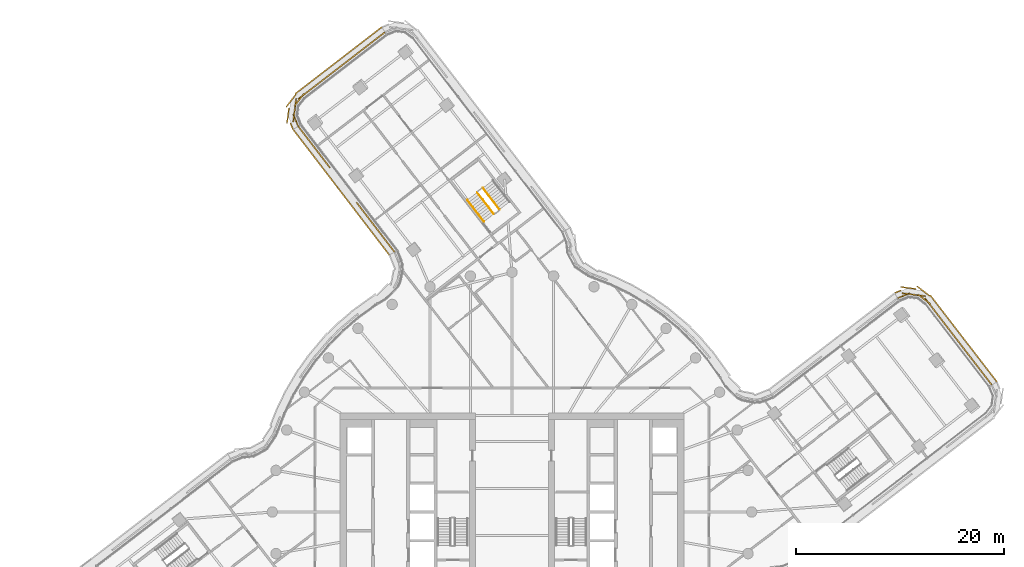
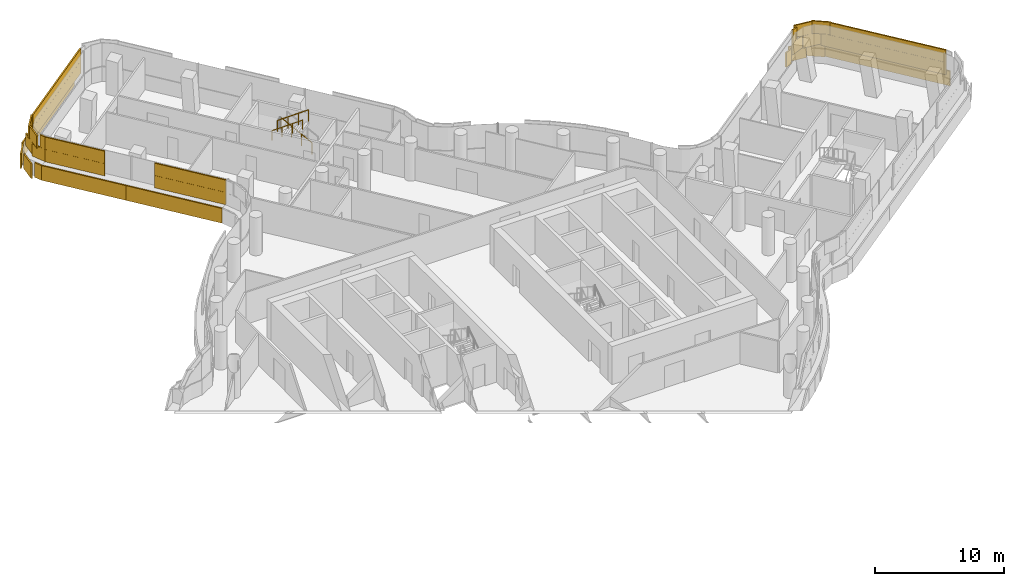
# One storey, part 32 of 33: 4 coverings, 3 railings.
"""IFC4 building model written with IfcOpenShell, lengths in metres."""

from ifc_helpers import new_model, si_unit, direction, frame, origin, origin_2d, place, context, subcontext, project, spatial, rectangle, circle, extrude, material, layer, layer_set, type_object, element, save


model = new_model("IFC4")

# Units and contexts
model_context = context("Model", 3, precision=1e-05, world=origin(), true_north=direction((0.0, 1.0)))
body_context = subcontext(model_context, "Body", "Model", "MODEL_VIEW")
ifc_project = project(units=[si_unit("LENGTHUNIT", "METRE"), si_unit("AREAUNIT", "SQUARE_METRE"), si_unit("VOLUMEUNIT", "CUBIC_METRE"), si_unit("PLANEANGLEUNIT", "RADIAN"), si_unit("MASSUNIT", "GRAM", prefix="KILO")], contexts=[model_context])

# Site, building, storey
site_placement = place(None, origin())
site = spatial("IfcSite", under=ifc_project, at=site_placement, CompositionType="ELEMENT")
building_placement = place(site_placement, origin())
building = spatial("IfcBuilding", under=site, at=building_placement, Name="Tamarind Cross Interchange Tower", CompositionType="ELEMENT")
storey_placement = place(building_placement, frame((0.0, 0.0, 170.5)))
storey = spatial("IfcBuildingStorey", under=building, at=storey_placement, Name="L42", CompositionType="ELEMENT", Elevation=170.5)

# Railings
ifc_material_1 = material(Name="Stair guard")
railing_type_1 = type_object("IfcRailingType", Name="Stair guard", PredefinedType="GUARDRAIL", material=ifc_material_1)
railing_1_placement = place(storey_placement, frame((-1.19140625, 29.03515625, 0.17041015625)))
element("IfcRailing", 1, at=railing_1_placement, inside=storey, type_object=railing_type_1, Name="L42 ST4 stair guard 1", PredefinedType="GUARDRAIL", context=body_context, shape_type="SweptSolid", body=[
    extrude(circle(Radius=0.02392578125, at=origin_2d()), frame((0.0, 0.0, 1.076171875), z_axis=(-0.510371197798, 0.662485216898, 0.548301539164), x_axis=(-0.792180437455, -0.610286944407, 0.0)), (0.0, 0.0, 1.0), 3.10888671875),
    extrude(circle(Radius=0.02099609375, at=origin_2d()), origin(), (0.0, 0.0, 1.0), 1.052001953125),
    extrude(circle(Radius=0.02099609375, at=origin_2d()), frame((-0.52880859375, 0.6865234375, 0.568115234375)), (0.0, 0.0, 1.0), 1.052001953125),
    extrude(circle(Radius=0.02099609375, at=origin_2d()), frame((-1.057861328125, 1.373046875, 1.136474609375)), (0.0, 0.0, 1.0), 1.052001953125),
    extrude(circle(Radius=0.02099609375, at=origin_2d()), frame((-1.586669921875, 2.0595703125, 1.70458984375)), (0.0, 0.0, 1.0), 1.052001953125),
])
railing_2_placement = place(storey_placement, frame((-3.332763671875, 30.66748046875, 2.04541015625)))
element("IfcRailing", 2, at=railing_2_placement, inside=storey, type_object=railing_type_1, Name="L42 ST4 stair guard 3", PredefinedType="GUARDRAIL", context=body_context, shape_type="SweptSolid", body=[
    extrude(circle(Radius=0.02392578125, at=origin_2d()), frame((0.0, 0.0, 1.076171875), z_axis=(0.510429269447, -0.662458664163, 0.548279562967), x_axis=(0.792135038923, 0.61034586925, 0.0)), (0.0, 0.0, 1.0), 3.10888671875),
    extrude(circle(Radius=0.02099609375, at=origin_2d()), origin(), (0.0, 0.0, 1.0), 1.052001953125),
    extrude(circle(Radius=0.02099609375, at=origin_2d()), frame((0.529052734375, -0.6865234375, 0.568115234375)), (0.0, 0.0, 1.0), 1.052001953125),
    extrude(circle(Radius=0.02099609375, at=origin_2d()), frame((1.057861328125, -1.373046875, 1.136474609375)), (0.0, 0.0, 1.0), 1.052001953125),
    extrude(circle(Radius=0.02099609375, at=origin_2d()), frame((1.5869140625, -2.0595703125, 1.70458984375)), (0.0, 0.0, 1.0), 1.052001953125),
])
ifc_material_2 = material(Name="Stair handrail")
railing_type_2 = type_object("IfcRailingType", Name="Stair handrail", PredefinedType="HANDRAIL", material=ifc_material_2)
railing_3_placement = place(storey_placement, frame((-4.283203125, 29.93505859375, 2.04541015625)))
element("IfcRailing", 3, at=railing_3_placement, inside=storey, type_object=railing_type_2, Name="L42 ST4 stair handrail 2", PredefinedType="HANDRAIL", context=body_context, shape_type="SweptSolid", body=[
    extrude(circle(Radius=0.02392578125, at=origin_2d()), frame((0.0, 0.0, 0.8759765625), z_axis=(0.510429269447, -0.662458664163, 0.548279562967), x_axis=(0.792135038923, 0.61034586925, 0.0)), (0.0, 0.0, 1.0), 3.10888671875),
    extrude(circle(Radius=0.02099609375, at=origin_2d()), origin(), (0.0, 0.0, 1.0), 0.851806640625),
    extrude(circle(Radius=0.02099609375, at=origin_2d()), frame((0.529052734375, -0.6865234375, 0.568115234375)), (0.0, 0.0, 1.0), 0.851806640625),
    extrude(circle(Radius=0.02099609375, at=origin_2d()), frame((1.057861328125, -1.373046875, 1.136474609375)), (0.0, 0.0, 1.0), 0.851806640625),
    extrude(circle(Radius=0.02099609375, at=origin_2d()), frame((1.5869140625, -2.0595703125, 1.70458984375)), (0.0, 0.0, 1.0), 0.851806640625),
])

# Coverings
ifc_material_3 = material(Name="Terracotta", Category="masonry")
ifc_layer = layer(ifc_material_3, 0.1201171875)
ifc_layer_set = layer_set([ifc_layer], Name="Terracotta")
covering_type = type_object("IfcCoveringType", Name="Terracotta baguette screen unit", PredefinedType="MOLDING", material=ifc_layer_set)
covering_1_placement = place(storey_placement, origin())
element("IfcCovering", 4, at=covering_1_placement, inside=storey, type_object=covering_type, Name="SCR-L42-00-00", PredefinedType="MOLDING", context=body_context, shape_type="SweptSolid", body=[
    extrude(rectangle(XDim=1.510009765625, YDim=0.1201171875, at=origin_2d()), frame((45.58251953125, 12.789306640625, 1.404052734375), z_axis=(0.0, 0.0, 1.0), x_axis=(-0.610322147879, 0.792153315847, 0.0)), (0.0, 0.0, 1.0), 1.1669921875),
    extrude(rectangle(XDim=1.52001953125, YDim=0.1201171875, at=origin_2d()), frame((44.6669921875, 13.9775390625, 1.404052734375), z_axis=(0.0, 0.0, 1.0), x_axis=(-0.610322147879, 0.792153315847, 0.0)), (0.0, 0.0, 1.0), 1.1669921875),
    extrude(rectangle(XDim=1.52001953125, YDim=0.1201171875, at=origin_2d()), frame((43.751708984375, 15.165771484375, 1.404052734375), z_axis=(0.0, 0.0, 1.0), x_axis=(-0.610322147879, 0.792153315847, 0.0)), (0.0, 0.0, 1.0), 1.1669921875),
    extrude(rectangle(XDim=1.52001953125, YDim=0.1201171875, at=origin_2d()), frame((42.836181640625, 16.35400390625, 1.404052734375), z_axis=(0.0, 0.0, 1.0), x_axis=(-0.610322147879, 0.792153315847, 0.0)), (0.0, 0.0, 1.0), 1.1669921875),
    extrude(rectangle(XDim=1.52001953125, YDim=0.1201171875, at=origin_2d()), frame((41.920654296875, 17.542236328125, 1.404052734375), z_axis=(0.0, 0.0, 1.0), x_axis=(-0.610322147879, 0.792153315847, 0.0)), (0.0, 0.0, 1.0), 1.1669921875),
    extrude(rectangle(XDim=1.52001953125, YDim=0.1201171875, at=origin_2d()), frame((41.005126953125, 18.73046875, 1.404052734375), z_axis=(0.0, 0.0, 1.0), x_axis=(-0.610322147879, 0.792153315847, 0.0)), (0.0, 0.0, 1.0), 1.1669921875),
    extrude(rectangle(XDim=1.52001953125, YDim=0.1201171875, at=origin_2d()), frame((40.089599609375, 19.918701171875, 1.404052734375), z_axis=(0.0, 0.0, 1.0), x_axis=(-0.610322147879, 0.792153315847, 0.0)), (0.0, 0.0, 1.0), 1.1669921875),
    extrude(rectangle(XDim=1.52001953125, YDim=0.1201171875, at=origin_2d()), frame((38.917724609375, 20.805908203125, 1.404052734375), z_axis=(0.0, 0.0, 1.0), x_axis=(-0.991699910849, 0.128574051901, 0.0)), (0.0, 0.0, 1.0), 1.1669921875),
    extrude(rectangle(XDim=1.259521484375, YDim=0.1201171875, at=origin_2d()), frame((37.5849609375, 20.753662109375, 1.404052734375), z_axis=(0.0, 0.0, 1.0), x_axis=(-0.923124341677, -0.38450156021, 0.0)), (0.0, 0.0, 1.0), 1.1669921875),
    extrude(rectangle(XDim=0.760009765625, YDim=0.1201171875, at=origin_2d()), frame((45.8115234375, 12.4921875, 2.5791015625), z_axis=(0.0, 0.0, 1.0), x_axis=(-0.610322147879, 0.792153315847, 0.0)), (0.0, 0.0, 1.0), 1.1669921875),
    extrude(rectangle(XDim=1.52001953125, YDim=0.1201171875, at=origin_2d()), frame((45.124755859375, 13.383544921875, 2.5791015625), z_axis=(0.0, 0.0, 1.0), x_axis=(-0.610322147879, 0.792153315847, 0.0)), (0.0, 0.0, 1.0), 1.1669921875),
    extrude(rectangle(XDim=1.52001953125, YDim=0.1201171875, at=origin_2d()), frame((44.20947265625, 14.57177734375, 2.5791015625), z_axis=(0.0, 0.0, 1.0), x_axis=(-0.610322147879, 0.792153315847, 0.0)), (0.0, 0.0, 1.0), 1.1669921875),
    extrude(rectangle(XDim=1.52001953125, YDim=0.1201171875, at=origin_2d()), frame((43.2939453125, 15.760009765625, 2.5791015625), z_axis=(0.0, 0.0, 1.0), x_axis=(-0.610322147879, 0.792153315847, 0.0)), (0.0, 0.0, 1.0), 1.1669921875),
    extrude(rectangle(XDim=1.52001953125, YDim=0.1201171875, at=origin_2d()), frame((42.37841796875, 16.9482421875, 2.5791015625), z_axis=(0.0, 0.0, 1.0), x_axis=(-0.610322147879, 0.792153315847, 0.0)), (0.0, 0.0, 1.0), 1.1669921875),
    extrude(rectangle(XDim=1.52001953125, YDim=0.1201171875, at=origin_2d()), frame((41.462890625, 18.136474609375, 2.5791015625), z_axis=(0.0, 0.0, 1.0), x_axis=(-0.610322147879, 0.792153315847, 0.0)), (0.0, 0.0, 1.0), 1.1669921875),
    extrude(rectangle(XDim=1.52001953125, YDim=0.1201171875, at=origin_2d()), frame((40.54736328125, 19.32470703125, 2.5791015625), z_axis=(0.0, 0.0, 1.0), x_axis=(-0.610322147879, 0.792153315847, 0.0)), (0.0, 0.0, 1.0), 1.1669921875),
    extrude(rectangle(XDim=1.52001953125, YDim=0.1201171875, at=origin_2d()), frame((39.544189453125, 20.4248046875, 2.5791015625), z_axis=(0.0, 0.0, 1.0), x_axis=(-0.794550289775, 0.607198350638, 0.0)), (0.0, 0.0, 1.0), 1.1669921875),
    extrude(rectangle(XDim=1.52001953125, YDim=0.1201171875, at=origin_2d()), frame((38.173828125, 20.90234375, 2.5791015625), z_axis=(0.0, 0.0, 1.0), x_axis=(-0.991699910849, 0.128574051901, 0.0)), (0.0, 0.0, 1.0), 1.1669921875),
    extrude(rectangle(XDim=0.509521484375, YDim=0.1201171875, at=origin_2d()), frame((37.23876953125, 20.609619140625, 2.5791015625), z_axis=(0.0, 0.0, 1.0), x_axis=(-0.923124341677, -0.38450156021, 0.0)), (0.0, 0.0, 1.0), 1.1669921875),
    extrude(rectangle(XDim=1.510009765625, YDim=0.1201171875, at=origin_2d()), frame((46.080322265625, 13.083740234375, 0.00390625), z_axis=(0.0, 0.0, 1.0), x_axis=(-0.610322147879, 0.792153315847, 0.0)), (0.0, 0.0, 1.0), 1.39208984375),
    extrude(rectangle(XDim=1.52001953125, YDim=0.1201171875, at=origin_2d()), frame((45.16796875, 14.26806640625, 0.00390625), z_axis=(0.0, 0.0, 1.0), x_axis=(-0.610322147879, 0.792153315847, 0.0)), (0.0, 0.0, 1.0), 1.39208984375),
    extrude(rectangle(XDim=1.52001953125, YDim=0.1201171875, at=origin_2d()), frame((44.25244140625, 15.456298828125, 0.00390625), z_axis=(0.0, 0.0, 1.0), x_axis=(-0.610322147879, 0.792153315847, 0.0)), (0.0, 0.0, 1.0), 1.39208984375),
    extrude(rectangle(XDim=1.52001953125, YDim=0.1201171875, at=origin_2d()), frame((43.3369140625, 16.64453125, 0.00390625), z_axis=(0.0, 0.0, 1.0), x_axis=(-0.610322147879, 0.792153315847, 0.0)), (0.0, 0.0, 1.0), 1.39208984375),
    extrude(rectangle(XDim=1.52001953125, YDim=0.1201171875, at=origin_2d()), frame((42.42138671875, 17.832763671875, 0.00390625), z_axis=(0.0, 0.0, 1.0), x_axis=(-0.610322147879, 0.792153315847, 0.0)), (0.0, 0.0, 1.0), 1.39208984375),
    extrude(rectangle(XDim=1.52001953125, YDim=0.1201171875, at=origin_2d()), frame((41.506103515625, 19.02099609375, 0.00390625), z_axis=(0.0, 0.0, 1.0), x_axis=(-0.610322147879, 0.792153315847, 0.0)), (0.0, 0.0, 1.0), 1.39208984375),
    extrude(rectangle(XDim=1.52001953125, YDim=0.1201171875, at=origin_2d()), frame((40.590576171875, 20.209228515625, 0.00390625), z_axis=(0.0, 0.0, 1.0), x_axis=(-0.610322147879, 0.792153315847, 0.0)), (0.0, 0.0, 1.0), 1.39208984375),
    extrude(rectangle(XDim=1.52001953125, YDim=0.1201171875, at=origin_2d()), frame((39.47705078125, 21.198486328125, 0.00390625), z_axis=(0.0, 0.0, 1.0), x_axis=(-0.794550289775, 0.607198350638, 0.0)), (0.0, 0.0, 1.0), 1.39208984375),
    extrude(rectangle(XDim=1.52001953125, YDim=0.1201171875, at=origin_2d()), frame((38.033935546875, 21.499267578125, 0.00390625), z_axis=(0.0, 0.0, 1.0), x_axis=(-0.991699910849, 0.128574051901, 0.0)), (0.0, 0.0, 1.0), 1.39208984375),
    extrude(rectangle(XDim=0.67626953125, YDim=0.1201171875, at=origin_2d()), frame((37.030517578125, 21.14453125, 0.00390625), z_axis=(0.0, 0.0, 1.0), x_axis=(-0.923124341677, -0.38450156021, 0.0)), (0.0, 0.0, 1.0), 1.39208984375),
])
covering_2_placement = place(storey_placement, origin())
element("IfcCovering", 5, at=covering_2_placement, inside=storey, type_object=covering_type, Name="SCR-L42-04-00", PredefinedType="MOLDING", context=body_context, shape_type="SweptSolid", body=[
    extrude(rectangle(XDim=1.510009765625, YDim=0.1201171875, at=origin_2d()), frame((-12.789306640625, 45.58251953125, 1.404052734375), z_axis=(0.0, 0.0, 1.0), x_axis=(-0.792153315847, -0.610322147879, 0.0)), (0.0, 0.0, 1.0), 1.1669921875),
    extrude(rectangle(XDim=1.52001953125, YDim=0.1201171875, at=origin_2d()), frame((-13.9775390625, 44.6669921875, 1.404052734375), z_axis=(0.0, 0.0, 1.0), x_axis=(-0.792153315847, -0.610322147879, 0.0)), (0.0, 0.0, 1.0), 1.1669921875),
    extrude(rectangle(XDim=1.52001953125, YDim=0.1201171875, at=origin_2d()), frame((-15.165771484375, 43.751708984375, 1.404052734375), z_axis=(0.0, 0.0, 1.0), x_axis=(-0.792153315847, -0.610322147879, 0.0)), (0.0, 0.0, 1.0), 1.1669921875),
    extrude(rectangle(XDim=1.52001953125, YDim=0.1201171875, at=origin_2d()), frame((-16.35400390625, 42.836181640625, 1.404052734375), z_axis=(0.0, 0.0, 1.0), x_axis=(-0.792153315847, -0.610322147879, 0.0)), (0.0, 0.0, 1.0), 1.1669921875),
    extrude(rectangle(XDim=1.52001953125, YDim=0.1201171875, at=origin_2d()), frame((-17.542236328125, 41.920654296875, 1.404052734375), z_axis=(0.0, 0.0, 1.0), x_axis=(-0.792153315847, -0.610322147879, 0.0)), (0.0, 0.0, 1.0), 1.1669921875),
    extrude(rectangle(XDim=1.52001953125, YDim=0.1201171875, at=origin_2d()), frame((-18.73046875, 41.005126953125, 1.404052734375), z_axis=(0.0, 0.0, 1.0), x_axis=(-0.792153315847, -0.610322147879, 0.0)), (0.0, 0.0, 1.0), 1.1669921875),
    extrude(rectangle(XDim=1.52001953125, YDim=0.1201171875, at=origin_2d()), frame((-19.918701171875, 40.089599609375, 1.404052734375), z_axis=(0.0, 0.0, 1.0), x_axis=(-0.792153315847, -0.610322147879, 0.0)), (0.0, 0.0, 1.0), 1.1669921875),
    extrude(rectangle(XDim=1.52001953125, YDim=0.1201171875, at=origin_2d()), frame((-20.805908203125, 38.917724609375, 1.404052734375), z_axis=(0.0, 0.0, 1.0), x_axis=(-0.128574051901, -0.991699910849, 0.0)), (0.0, 0.0, 1.0), 1.1669921875),
    extrude(rectangle(XDim=1.259521484375, YDim=0.1201171875, at=origin_2d()), frame((-20.753662109375, 37.5849609375, 1.404052734375), z_axis=(0.0, 0.0, 1.0), x_axis=(0.38450156021, -0.923124341677, 0.0)), (0.0, 0.0, 1.0), 1.1669921875),
    extrude(rectangle(XDim=0.760009765625, YDim=0.1201171875, at=origin_2d()), frame((-12.4921875, 45.8115234375, 2.5791015625), z_axis=(0.0, 0.0, 1.0), x_axis=(-0.792153315847, -0.610322147879, 0.0)), (0.0, 0.0, 1.0), 1.1669921875),
    extrude(rectangle(XDim=1.52001953125, YDim=0.1201171875, at=origin_2d()), frame((-13.383544921875, 45.124755859375, 2.5791015625), z_axis=(0.0, 0.0, 1.0), x_axis=(-0.792153315847, -0.610322147879, 0.0)), (0.0, 0.0, 1.0), 1.1669921875),
    extrude(rectangle(XDim=1.52001953125, YDim=0.1201171875, at=origin_2d()), frame((-14.57177734375, 44.20947265625, 2.5791015625), z_axis=(0.0, 0.0, 1.0), x_axis=(-0.792153315847, -0.610322147879, 0.0)), (0.0, 0.0, 1.0), 1.1669921875),
    extrude(rectangle(XDim=1.52001953125, YDim=0.1201171875, at=origin_2d()), frame((-15.760009765625, 43.2939453125, 2.5791015625), z_axis=(0.0, 0.0, 1.0), x_axis=(-0.792153315847, -0.610322147879, 0.0)), (0.0, 0.0, 1.0), 1.1669921875),
    extrude(rectangle(XDim=1.52001953125, YDim=0.1201171875, at=origin_2d()), frame((-16.9482421875, 42.37841796875, 2.5791015625), z_axis=(0.0, 0.0, 1.0), x_axis=(-0.792153315847, -0.610322147879, 0.0)), (0.0, 0.0, 1.0), 1.1669921875),
    extrude(rectangle(XDim=1.52001953125, YDim=0.1201171875, at=origin_2d()), frame((-18.136474609375, 41.462890625, 2.5791015625), z_axis=(0.0, 0.0, 1.0), x_axis=(-0.792153315847, -0.610322147879, 0.0)), (0.0, 0.0, 1.0), 1.1669921875),
    extrude(rectangle(XDim=1.52001953125, YDim=0.1201171875, at=origin_2d()), frame((-19.32470703125, 40.54736328125, 2.5791015625), z_axis=(0.0, 0.0, 1.0), x_axis=(-0.792153315847, -0.610322147879, 0.0)), (0.0, 0.0, 1.0), 1.1669921875),
    extrude(rectangle(XDim=1.52001953125, YDim=0.1201171875, at=origin_2d()), frame((-20.4248046875, 39.544189453125, 2.5791015625), z_axis=(0.0, 0.0, 1.0), x_axis=(-0.607198350638, -0.794550289775, 0.0)), (0.0, 0.0, 1.0), 1.1669921875),
    extrude(rectangle(XDim=1.52001953125, YDim=0.1201171875, at=origin_2d()), frame((-20.90234375, 38.173828125, 2.5791015625), z_axis=(0.0, 0.0, 1.0), x_axis=(-0.128574051901, -0.991699910849, 0.0)), (0.0, 0.0, 1.0), 1.1669921875),
    extrude(rectangle(XDim=0.509521484375, YDim=0.1201171875, at=origin_2d()), frame((-20.609619140625, 37.23876953125, 2.5791015625), z_axis=(0.0, 0.0, 1.0), x_axis=(0.38450156021, -0.923124341677, 0.0)), (0.0, 0.0, 1.0), 1.1669921875),
    extrude(rectangle(XDim=1.510009765625, YDim=0.1201171875, at=origin_2d()), frame((-13.083740234375, 46.080322265625, 0.00390625), z_axis=(0.0, 0.0, 1.0), x_axis=(-0.792153315847, -0.610322147879, 0.0)), (0.0, 0.0, 1.0), 1.39208984375),
    extrude(rectangle(XDim=1.52001953125, YDim=0.1201171875, at=origin_2d()), frame((-14.26806640625, 45.16796875, 0.00390625), z_axis=(0.0, 0.0, 1.0), x_axis=(-0.792153315847, -0.610322147879, 0.0)), (0.0, 0.0, 1.0), 1.39208984375),
    extrude(rectangle(XDim=1.52001953125, YDim=0.1201171875, at=origin_2d()), frame((-15.456298828125, 44.25244140625, 0.00390625), z_axis=(0.0, 0.0, 1.0), x_axis=(-0.792153315847, -0.610322147879, 0.0)), (0.0, 0.0, 1.0), 1.39208984375),
    extrude(rectangle(XDim=1.52001953125, YDim=0.1201171875, at=origin_2d()), frame((-16.64453125, 43.3369140625, 0.00390625), z_axis=(0.0, 0.0, 1.0), x_axis=(-0.792153315847, -0.610322147879, 0.0)), (0.0, 0.0, 1.0), 1.39208984375),
    extrude(rectangle(XDim=1.52001953125, YDim=0.1201171875, at=origin_2d()), frame((-17.832763671875, 42.42138671875, 0.00390625), z_axis=(0.0, 0.0, 1.0), x_axis=(-0.792153315847, -0.610322147879, 0.0)), (0.0, 0.0, 1.0), 1.39208984375),
    extrude(rectangle(XDim=1.52001953125, YDim=0.1201171875, at=origin_2d()), frame((-19.02099609375, 41.506103515625, 0.00390625), z_axis=(0.0, 0.0, 1.0), x_axis=(-0.792153315847, -0.610322147879, 0.0)), (0.0, 0.0, 1.0), 1.39208984375),
    extrude(rectangle(XDim=1.52001953125, YDim=0.1201171875, at=origin_2d()), frame((-20.209228515625, 40.590576171875, 0.00390625), z_axis=(0.0, 0.0, 1.0), x_axis=(-0.792153315847, -0.610322147879, 0.0)), (0.0, 0.0, 1.0), 1.39208984375),
    extrude(rectangle(XDim=1.52001953125, YDim=0.1201171875, at=origin_2d()), frame((-21.198486328125, 39.47705078125, 0.00390625), z_axis=(0.0, 0.0, 1.0), x_axis=(-0.607198350638, -0.794550289775, 0.0)), (0.0, 0.0, 1.0), 1.39208984375),
    extrude(rectangle(XDim=1.52001953125, YDim=0.1201171875, at=origin_2d()), frame((-21.499267578125, 38.033935546875, 0.00390625), z_axis=(0.0, 0.0, 1.0), x_axis=(-0.128574051901, -0.991699910849, 0.0)), (0.0, 0.0, 1.0), 1.39208984375),
    extrude(rectangle(XDim=0.67626953125, YDim=0.1201171875, at=origin_2d()), frame((-21.14453125, 37.030517578125, 0.00390625), z_axis=(0.0, 0.0, 1.0), x_axis=(0.38450156021, -0.923124341677, 0.0)), (0.0, 0.0, 1.0), 1.39208984375),
])
covering_3_placement = place(storey_placement, origin())
element("IfcCovering", 6, at=covering_3_placement, inside=storey, type_object=covering_type, Name="SCR-L42-05-00", PredefinedType="MOLDING", context=body_context, shape_type="SweptSolid", body=[
    extrude(rectangle(XDim=1.510009765625, YDim=0.1201171875, at=origin_2d()), frame((-20.057373046875, 36.412841796875, 1.404052734375), z_axis=(0.0, 0.0, 1.0), x_axis=(0.608276615198, -0.793725115769, 0.0)), (0.0, 0.0, 1.0), 1.1669921875),
    extrude(rectangle(XDim=1.52001953125, YDim=0.1201171875, at=origin_2d()), frame((-19.144775390625, 35.222412109375, 1.404052734375), z_axis=(0.0, 0.0, 1.0), x_axis=(0.608276615198, -0.793725115769, 0.0)), (0.0, 0.0, 1.0), 1.1669921875),
    extrude(rectangle(XDim=1.52001953125, YDim=0.1201171875, at=origin_2d()), frame((-18.232421875, 34.03173828125, 1.404052734375), z_axis=(0.0, 0.0, 1.0), x_axis=(0.608276615198, -0.793725115769, 0.0)), (0.0, 0.0, 1.0), 1.1669921875),
    extrude(rectangle(XDim=0.50634765625, YDim=0.1201171875, at=origin_2d()), frame((-17.625244140625, 33.239501953125, 1.404052734375), z_axis=(0.0, 0.0, 1.0), x_axis=(0.608276615198, -0.793725115769, 0.0)), (0.0, 0.0, 1.0), 1.1669921875),
    extrude(rectangle(XDim=0.760009765625, YDim=0.1201171875, at=origin_2d()), frame((-20.285400390625, 36.71044921875, 2.5791015625), z_axis=(0.0, 0.0, 1.0), x_axis=(0.608276615198, -0.793725115769, 0.0)), (0.0, 0.0, 1.0), 1.1669921875),
    extrude(rectangle(XDim=1.52001953125, YDim=0.1201171875, at=origin_2d()), frame((-19.60107421875, 35.817626953125, 2.5791015625), z_axis=(0.0, 0.0, 1.0), x_axis=(0.608276615198, -0.793725115769, 0.0)), (0.0, 0.0, 1.0), 1.1669921875),
    extrude(rectangle(XDim=1.52001953125, YDim=0.1201171875, at=origin_2d()), frame((-18.688720703125, 34.626953125, 2.5791015625), z_axis=(0.0, 0.0, 1.0), x_axis=(0.608276615198, -0.793725115769, 0.0)), (0.0, 0.0, 1.0), 1.1669921875),
    extrude(rectangle(XDim=1.25634765625, YDim=0.1201171875, at=origin_2d()), frame((-17.853271484375, 33.537109375, 2.5791015625), z_axis=(0.0, 0.0, 1.0), x_axis=(0.608276615198, -0.793725115769, 0.0)), (0.0, 0.0, 1.0), 1.1669921875),
    extrude(rectangle(XDim=1.510009765625, YDim=0.1201171875, at=origin_2d()), frame((-20.555419921875, 36.119140625, 0.00390625), z_axis=(0.0, 0.0, 1.0), x_axis=(0.608276615198, -0.793725115769, 0.0)), (0.0, 0.0, 1.0), 1.39208984375),
    extrude(rectangle(XDim=1.52001953125, YDim=0.1201171875, at=origin_2d()), frame((-19.64599609375, 34.9326171875, 0.00390625), z_axis=(0.0, 0.0, 1.0), x_axis=(0.608276615198, -0.793725115769, 0.0)), (0.0, 0.0, 1.0), 1.39208984375),
    extrude(rectangle(XDim=1.52001953125, YDim=0.1201171875, at=origin_2d()), frame((-18.733642578125, 33.741943359375, 0.00390625), z_axis=(0.0, 0.0, 1.0), x_axis=(0.608276615198, -0.793725115769, 0.0)), (0.0, 0.0, 1.0), 1.39208984375),
    extrude(rectangle(XDim=1.52001953125, YDim=0.1201171875, at=origin_2d()), frame((-17.821044921875, 32.55126953125, 0.00390625), z_axis=(0.0, 0.0, 1.0), x_axis=(0.608276615198, -0.793725115769, 0.0)), (0.0, 0.0, 1.0), 1.39208984375),
    extrude(rectangle(XDim=1.103515625, YDim=0.1201171875, at=origin_2d()), frame((-17.035400390625, 31.526123046875, 0.00390625), z_axis=(0.0, 0.0, 1.0), x_axis=(0.608276615198, -0.793725115769, 0.0)), (0.0, 0.0, 1.0), 1.39208984375),
])
covering_4_placement = place(storey_placement, origin())
element("IfcCovering", 7, at=covering_4_placement, inside=storey, type_object=covering_type, Name="SCR-L42-05-01", PredefinedType="MOLDING", context=body_context, shape_type="SweptSolid", body=[
    extrude(rectangle(XDim=1.313720703125, YDim=0.1201171875, at=origin_2d()), frame((-14.523193359375, 29.19140625, 1.404052734375), z_axis=(0.0, 0.0, 1.0), x_axis=(0.608276615198, -0.793725115769, 0.0)), (0.0, 0.0, 1.0), 1.1669921875),
    extrude(rectangle(XDim=1.52001953125, YDim=0.1201171875, at=origin_2d()), frame((-13.67041015625, 28.078857421875, 1.404052734375), z_axis=(0.0, 0.0, 1.0), x_axis=(0.608276615198, -0.793725115769, 0.0)), (0.0, 0.0, 1.0), 1.1669921875),
    extrude(rectangle(XDim=1.52001953125, YDim=0.1201171875, at=origin_2d()), frame((-12.758056640625, 26.88818359375, 1.404052734375), z_axis=(0.0, 0.0, 1.0), x_axis=(0.608276615198, -0.793725115769, 0.0)), (0.0, 0.0, 1.0), 1.1669921875),
    extrude(rectangle(XDim=1.52001953125, YDim=0.1201171875, at=origin_2d()), frame((-11.845458984375, 25.697509765625, 1.404052734375), z_axis=(0.0, 0.0, 1.0), x_axis=(0.608276615198, -0.793725115769, 0.0)), (0.0, 0.0, 1.0), 1.1669921875),
    extrude(rectangle(XDim=0.206787109375, YDim=0.1201171875, at=origin_2d()), frame((-11.329345703125, 25.024169921875, 1.404052734375), z_axis=(0.0, 0.0, 1.0), x_axis=(0.608276615198, -0.793725115769, 0.0)), (0.0, 0.0, 1.0), 1.1669921875),
    extrude(rectangle(XDim=0.563720703125, YDim=0.1201171875, at=origin_2d()), frame((-14.751220703125, 29.4892578125, 2.5791015625), z_axis=(0.0, 0.0, 1.0), x_axis=(0.608276615198, -0.793725115769, 0.0)), (0.0, 0.0, 1.0), 1.1669921875),
    extrude(rectangle(XDim=1.52001953125, YDim=0.1201171875, at=origin_2d()), frame((-14.12646484375, 28.674072265625, 2.5791015625), z_axis=(0.0, 0.0, 1.0), x_axis=(0.608276615198, -0.793725115769, 0.0)), (0.0, 0.0, 1.0), 1.1669921875),
    extrude(rectangle(XDim=1.52001953125, YDim=0.1201171875, at=origin_2d()), frame((-13.214111328125, 27.4833984375, 2.5791015625), z_axis=(0.0, 0.0, 1.0), x_axis=(0.608276615198, -0.793725115769, 0.0)), (0.0, 0.0, 1.0), 1.1669921875),
    extrude(rectangle(XDim=1.52001953125, YDim=0.1201171875, at=origin_2d()), frame((-12.3017578125, 26.29296875, 2.5791015625), z_axis=(0.0, 0.0, 1.0), x_axis=(0.608276615198, -0.793725115769, 0.0)), (0.0, 0.0, 1.0), 1.1669921875),
    extrude(rectangle(XDim=0.956787109375, YDim=0.1201171875, at=origin_2d()), frame((-11.5576171875, 25.32177734375, 2.5791015625), z_axis=(0.0, 0.0, 1.0), x_axis=(0.608276615198, -0.793725115769, 0.0)), (0.0, 0.0, 1.0), 1.1669921875),
    extrude(rectangle(XDim=0.41650390625, YDim=0.1201171875, at=origin_2d()), frame((-16.572998046875, 30.9228515625, 0.00390625), z_axis=(0.0, 0.0, 1.0), x_axis=(0.608276615198, -0.793725115769, 0.0)), (0.0, 0.0, 1.0), 1.39208984375),
    extrude(rectangle(XDim=1.52001953125, YDim=0.1201171875, at=origin_2d()), frame((-15.996337890625, 30.170166015625, 0.00390625), z_axis=(0.0, 0.0, 1.0), x_axis=(0.608276615198, -0.793725115769, 0.0)), (0.0, 0.0, 1.0), 1.39208984375),
    extrude(rectangle(XDim=1.52001953125, YDim=0.1201171875, at=origin_2d()), frame((-15.083984375, 28.979736328125, 0.00390625), z_axis=(0.0, 0.0, 1.0), x_axis=(0.608276615198, -0.793725115769, 0.0)), (0.0, 0.0, 1.0), 1.39208984375),
    extrude(rectangle(XDim=1.52001953125, YDim=0.1201171875, at=origin_2d()), frame((-14.17138671875, 27.7890625, 0.00390625), z_axis=(0.0, 0.0, 1.0), x_axis=(0.608276615198, -0.793725115769, 0.0)), (0.0, 0.0, 1.0), 1.39208984375),
    extrude(rectangle(XDim=1.52001953125, YDim=0.1201171875, at=origin_2d()), frame((-13.259033203125, 26.598388671875, 0.00390625), z_axis=(0.0, 0.0, 1.0), x_axis=(0.608276615198, -0.793725115769, 0.0)), (0.0, 0.0, 1.0), 1.39208984375),
    extrude(rectangle(XDim=1.52001953125, YDim=0.1201171875, at=origin_2d()), frame((-12.3466796875, 25.407958984375, 0.00390625), z_axis=(0.0, 0.0, 1.0), x_axis=(0.608276615198, -0.793725115769, 0.0)), (0.0, 0.0, 1.0), 1.39208984375),
    extrude(rectangle(XDim=0.200927734375, YDim=0.1201171875, at=origin_2d()), frame((-11.83544921875, 24.74072265625, 0.00390625), z_axis=(0.0, 0.0, 1.0), x_axis=(0.608276615198, -0.793725115769, 0.0)), (0.0, 0.0, 1.0), 1.39208984375),
])

save(model, "model.ifc")
